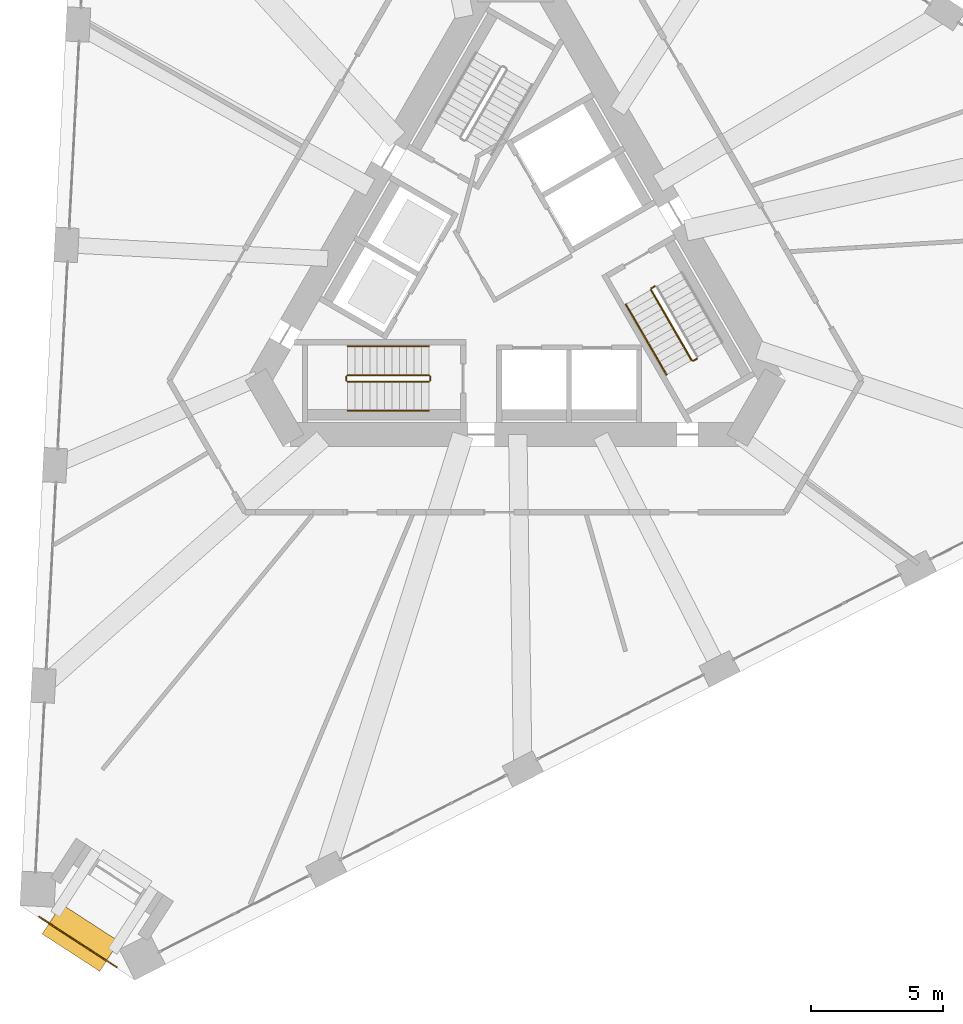
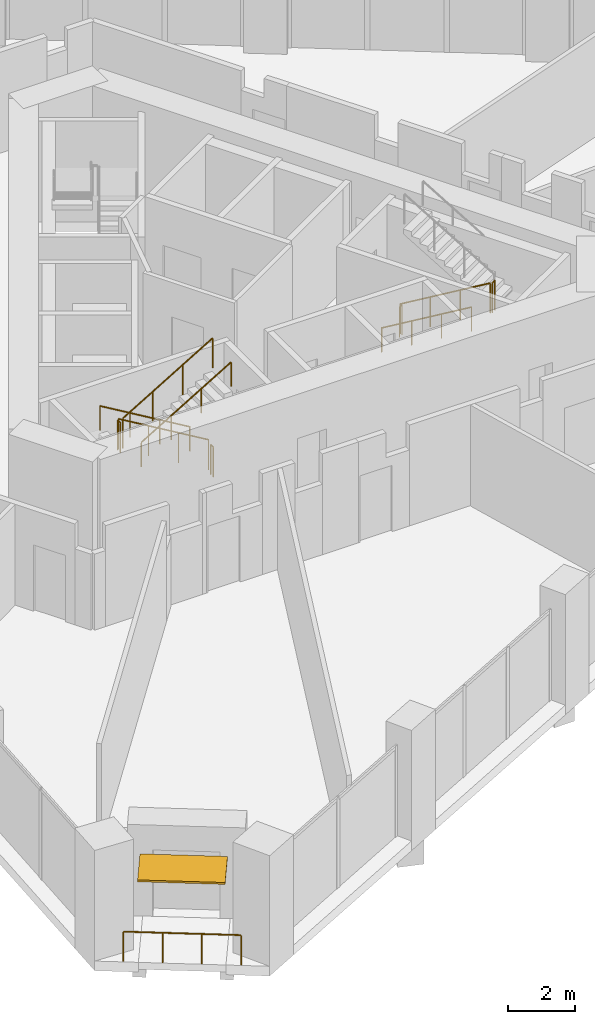
# One storey, part 15 of 18: 11 railings, 1 shading device.
"""IFC4 building model written with IfcOpenShell, lengths in metres."""

import ifcopenshell
import ifcopenshell.guid

model = None  # the IFC model being written
_history = None  # IfcOwnerHistory: only IFC2X3 demands one
_inside = {}  # id of a spatial element -> (the spatial element, [elements in it])
_under = {}  # id of a project, library or spatial element -> (it, [spatial elements below it])
_declared = {}  # id of a project -> (the project, [libraries it declares])
_typed = {}  # id of a type object -> (the type object, [elements of that type])
_made_of = {}  # id of a material, layer set ... -> (it, [elements and type objects made of it])


def new_model(schema):
    """Start an empty IFC model of exactly this schema.

    Asked for "IFC4X3", IfcOpenShell would pick the latest addendum, in which some entities
    have other attributes; the version numbers below select the first issue.
    IFC2X3 requires an IfcOwnerHistory on every rooted entity: one is made here for all.
    """
    global model, _history
    if schema == "IFC4X3":
        model = ifcopenshell.file(schema_version=(4, 3, 0, 0))
    else:
        model = ifcopenshell.file(schema=schema)
    _inside.clear()
    _under.clear()
    _declared.clear()
    _typed.clear()
    _made_of.clear()
    _history = None
    if model.schema == "IFC2X3":
        org = make("IfcOrganization", Name="unknown")
        user = make(
            "IfcPersonAndOrganization",
            ThePerson=make("IfcPerson", FamilyName="unknown"),
            TheOrganization=org,
        )
        app = make(
            "IfcApplication",
            ApplicationDeveloper=org,
            Version="unknown",
            ApplicationFullName="unknown",
            ApplicationIdentifier="unknown",
        )
        _history = make(
            "IfcOwnerHistory",
            OwningUser=user,
            OwningApplication=app,
            ChangeAction="ADDED",
            CreationDate=0,
        )
    return model


def make(cls, **values):
    """One entity of the class cls with the attributes given. An attribute that is None is left unset."""
    return model.create_entity(
        cls, **{name: value for name, value in values.items() if value is not None}
    )


def rooted(cls, **values):
    """An entity with a GlobalId (a new one), such as an element, a storey or a relation."""
    return make(cls, GlobalId=ifcopenshell.guid.new(), OwnerHistory=_history, **values)


def si_unit(unit_type, name, prefix=None):
    """IfcSIUnit, for example si_unit("LENGTHUNIT", "METRE", prefix="MILLI")."""
    return make("IfcSIUnit", UnitType=unit_type, Prefix=prefix, Name=name)


def assignment(units):
    """IfcUnitAssignment: the units of a project."""
    return None if units is None else make("IfcUnitAssignment", Units=units)


def point(xyz):
    """IfcCartesianPoint."""
    return None if xyz is None else make("IfcCartesianPoint", Coordinates=xyz)


def direction(xyz):
    """IfcDirection."""
    return None if xyz is None else make("IfcDirection", DirectionRatios=xyz)


def frame(location, z_axis=None, x_axis=None):
    """IfcAxis2Placement3D, a coordinate frame: its origin and axes. An axis left out is left unset."""
    return make(
        "IfcAxis2Placement3D",
        Location=point(location),
        Axis=direction(z_axis),
        RefDirection=direction(x_axis),
    )


def frame_2d(location, x_axis=None):
    """IfcAxis2Placement2D, a coordinate frame in the plane: its origin and x axis."""
    return make(
        "IfcAxis2Placement2D", Location=point(location), RefDirection=direction(x_axis)
    )


def origin():
    """The frame at (0, 0, 0) with its axes left unset."""
    return frame((0.0, 0.0, 0.0))


def origin_2d():
    """The frame at (0, 0) in the plane with its x axis left unset."""
    return frame_2d((0.0, 0.0))


def place(relative_to, where):
    """IfcLocalPlacement: puts the frame where relative to a parent placement (None: the world)."""
    return make(
        "IfcLocalPlacement", PlacementRelTo=relative_to, RelativePlacement=where
    )


def context(
    kind, dimensions, precision=None, world=None, true_north=None, identifier=None
):
    """IfcGeometricRepresentationContext, for example the 3D "Model" context."""
    return make(
        "IfcGeometricRepresentationContext",
        ContextIdentifier=identifier,
        ContextType=kind,
        CoordinateSpaceDimension=dimensions,
        Precision=precision,
        WorldCoordinateSystem=world,
        TrueNorth=true_north,
    )


def subcontext(parent, identifier, kind, view, scale=None):
    """IfcGeometricRepresentationSubContext, for example "Body" below "Model"."""
    return make(
        "IfcGeometricRepresentationSubContext",
        ContextIdentifier=identifier,
        ContextType=kind,
        ParentContext=parent,
        TargetScale=scale,
        TargetView=view,
    )


def project(units=None, contexts=None):
    """IfcProject with its units and contexts."""
    return rooted(
        "IfcProject",
        Name="project",
        RepresentationContexts=contexts,
        UnitsInContext=assignment(units),
    )


def spatial(cls, under=None, at=None, **own):
    """A site, building, storey or space (cls), placed at a placement, below another one or the project."""
    s = rooted(cls, ObjectPlacement=at, **own)
    if under is not None:
        _under.setdefault(under.id(), (under, []))[1].append(s)
    return s


def profile(cls, at=None, kind="AREA", **sizes):
    """A parametric profile (cls). Its sizes go by their IFC names, for example OverallWidth=200.0."""
    return make(cls, ProfileType=kind, Position=at, **sizes)


def rectangle(**sizes):
    """IfcRectangleProfileDef."""
    return profile("IfcRectangleProfileDef", **sizes)


def circle(**sizes):
    """IfcCircleProfileDef."""
    return profile("IfcCircleProfileDef", **sizes)


def extrude(swept, where, along, depth):
    """IfcExtrudedAreaSolid: the profile swept, set in the frame where, extruded along a direction by depth."""
    return make(
        "IfcExtrudedAreaSolid",
        SweptArea=swept,
        Position=where,
        ExtrudedDirection=direction(along),
        Depth=depth,
    )


def shape(context_of_items, identifier, shape_type, items):
    """IfcShapeRepresentation: the items that make up one representation, for example the "Body"."""
    return make(
        "IfcShapeRepresentation",
        ContextOfItems=context_of_items,
        RepresentationIdentifier=identifier,
        RepresentationType=shape_type,
        Items=items,
    )


def material(Name=None, Category=None):
    """IfcMaterial."""
    return make("IfcMaterial", Name=Name, Category=Category)


def layer(
    of_material, thickness, ventilated=None, Name=None, Category=None, Priority=None
):
    """IfcMaterialLayer: one layer of a wall or slab, of a material (None: an air gap)."""
    return make(
        "IfcMaterialLayer",
        Material=of_material,
        LayerThickness=thickness,
        IsVentilated=ventilated,
        Name=Name,
        Category=Category,
        Priority=Priority,
    )


def layer_set(layers, Name=None):
    """IfcMaterialLayerSet."""
    return make("IfcMaterialLayerSet", MaterialLayers=layers, LayerSetName=Name)


def made_of(thing, what):
    """Note that an element or type object is made of a material, layer set ...; save() writes the relation."""
    if what is not None:
        _made_of.setdefault(what.id(), (what, []))[1].append(thing)
    return thing


def type_object(cls, material=None, **own):
    """A type object (cls), such as IfcWallType, which elements share."""
    return made_of(rooted(cls, **own), material)


def element(
    cls,
    number,
    at=None,
    inside=None,
    cuts=None,
    type_object=None,
    material=None,
    context=None,
    identifier="Body",
    shape_type=None,
    held_by="IfcProductDefinitionShape",
    body=None,
    shapes=None,
    **own,
):
    """One element of the class cls, such as IfcWall. Its Tag is "e" and its number.

    at: its placement. inside: the storey or other place that contains it. cuts: it is an
    opening in that element (IfcRelVoidsElement). A single representation is given by context,
    identifier, shape_type and body (its items); several are given by shapes. held_by: the class
    of the entity that holds the representations. save() writes the other relations.
    """
    e = rooted(cls, Tag="e%d" % number, ObjectPlacement=at, **own)
    if body is not None:
        shapes = [shape(context, identifier, shape_type, body)]
    if shapes is not None:
        e.Representation = make(held_by, Representations=shapes)
    if inside is not None:
        _inside.setdefault(inside.id(), (inside, []))[1].append(e)
    if cuts is not None:
        rooted(
            "IfcRelVoidsElement", RelatingBuildingElement=cuts, RelatedOpeningElement=e
        )
    if type_object is not None:
        _typed.setdefault(type_object.id(), (type_object, []))[1].append(e)
    return made_of(e, material)


def aggregate(whole, parts):
    """IfcRelAggregates: a whole, such as a stair, and the parts it consists of."""
    return rooted("IfcRelAggregates", RelatingObject=whole, RelatedObjects=parts)


def save(model, path):
    """Write the relations noted so far, then the file.

    IfcRelAggregates (storeys below a building ...), IfcRelContainedInSpatialStructure (elements
    in a storey), IfcRelDefinesByType, IfcRelAssociatesMaterial and IfcRelDeclares: one each for
    every whole, place, type object, material and project.
    """
    for whole, parts in _under.values():
        aggregate(whole, parts)
    for where, things in _inside.values():
        rooted(
            "IfcRelContainedInSpatialStructure",
            RelatedElements=things,
            RelatingStructure=where,
        )
    for kind, things in _typed.values():
        rooted("IfcRelDefinesByType", RelatedObjects=things, RelatingType=kind)
    for what, things in _made_of.values():
        rooted("IfcRelAssociatesMaterial", RelatedObjects=things, RelatingMaterial=what)
    for by, libraries in _declared.values():
        rooted("IfcRelDeclares", RelatingContext=by, RelatedDefinitions=libraries)
    model.write(path)


model = new_model("IFC4")

# Units and contexts
model_context = context("Model", 3, precision=1e-05, world=origin(), true_north=direction((0.0, 1.0)))
body_context = subcontext(model_context, "Body", "Model", "MODEL_VIEW")
ifc_project = project(units=[si_unit("LENGTHUNIT", "METRE"), si_unit("AREAUNIT", "SQUARE_METRE"), si_unit("VOLUMEUNIT", "CUBIC_METRE"), si_unit("PLANEANGLEUNIT", "RADIAN"), si_unit("MASSUNIT", "GRAM", prefix="KILO")], contexts=[model_context])

# Site, building, storey
site_placement = place(None, origin())
site = spatial("IfcSite", under=ifc_project, at=site_placement, CompositionType="ELEMENT")
building_placement = place(site_placement, origin())
building = spatial("IfcBuilding", under=site, at=building_placement, Name="Tramontana Tower", CompositionType="ELEMENT")
storey_placement = place(building_placement, frame((0.0, 0.0, 125.60009765625)))
storey = spatial("IfcBuildingStorey", under=building, at=storey_placement, Name="L28", CompositionType="ELEMENT", Elevation=125.60009765625)

# Railing
ifc_material_1 = material(Name="Laminated glass balustrade", Category="glass")
railing_type_1 = type_object("IfcRailingType", Name="GD1 Loggia glass balustrade 1100", PredefinedType="BALUSTRADE", material=ifc_material_1)
railing_1_placement = place(storey_placement, frame((-15.12744140625, -26.50732421875, 0.0)))
element("IfcRailing", 1, at=railing_1_placement, inside=storey, type_object=railing_type_1, Name="Corner loggia balustrade L28 K31", PredefinedType="BALUSTRADE", context=body_context, shape_type="SweptSolid", body=[
    extrude(circle(Radius=0.02392578125, at=origin_2d()), frame((0.0, 0.0, 1.076171875), z_axis=(-0.838665071449, 0.544647498784, 0.0), x_axis=(-0.544647498784, -0.838665071449, 0.0)), (0.0, 0.0, 1.0), 3.5),
    extrude(circle(Radius=0.02099609375, at=origin_2d()), origin(), (0.0, 0.0, 1.0), 1.052001953125),
    extrude(circle(Radius=0.02099609375, at=origin_2d()), frame((-0.978515625, 0.635498046875, 0.0)), (0.0, 0.0, 1.0), 1.052001953125),
    extrude(circle(Radius=0.02099609375, at=origin_2d()), frame((-1.956787109375, 1.270751953125, 0.0)), (0.0, 0.0, 1.0), 1.052001953125),
    extrude(circle(Radius=0.02099609375, at=origin_2d()), frame((-2.935302734375, 1.90625, 0.0)), (0.0, 0.0, 1.0), 1.052001953125),
])

# Shading device
ifc_material_2 = material(Name="Precast concrete 60 MPa", Category="concrete")
ifc_layer = layer(ifc_material_2, 0.070068359375)
ifc_layer_set = layer_set([ifc_layer], Name="SS2 Stone sunshade blade 70")
shading_device_type = type_object("IfcShadingDeviceType", Name="SS2 Stone sunshade blade 70", PredefinedType="USERDEFINED", material=ifc_layer_set)
shading_device_placement = place(storey_placement, frame((-16.489013671875, -25.390869140625, 3.22998046875), z_axis=(0.0, 0.0, 1.0), x_axis=(-0.838670567945, 0.544639035015, 0.0)))
element("IfcShadingDevice", 2, at=shading_device_placement, inside=storey, type_object=shading_device_type, Name="Corner sunshade L28 K31", ObjectType="SUNSHADE", PredefinedType="USERDEFINED", context=body_context, shape_type="SweptSolid", body=[
    extrude(rectangle(XDim=2.60009765625, YDim=1.35009765625, at=origin_2d()), origin(), (0.0, 0.0, 1.0), 0.070068359375),
])

# Railings
ifc_material_3 = material(Name="Painted steel", Category="steel")
railing_type_2 = type_object("IfcRailingType", Name="STAIR GUARD 1100", PredefinedType="GUARDRAIL", material=ifc_material_3)
railing_2_placement = place(storey_placement, frame((-3.280029296875, -4.050048828125, 0.16650390625)))
element("IfcRailing", 3, at=railing_2_placement, inside=storey, type_object=railing_type_2, Name="L28 ST2 stair guard 1", PredefinedType="GUARDRAIL", context=body_context, shape_type="SweptSolid", body=[
    extrude(circle(Radius=0.02392578125, at=origin_2d()), frame((0.0, 0.0, 1.076171875), z_axis=(-0.85927862911, 0.0, 0.511507807912), x_axis=(0.0, -1.0, 0.0)), (0.0, 0.0, 1.0), 3.58447265625),
    extrude(circle(Radius=0.02099609375, at=origin_2d()), origin(), (0.0, 0.0, 1.0), 1.052001953125),
    extrude(circle(Radius=0.02099609375, at=origin_2d()), frame((-1.026611328125, 0.0, 0.611083984375)), (0.0, 0.0, 1.0), 1.052001953125),
    extrude(circle(Radius=0.02099609375, at=origin_2d()), frame((-2.053466796875, 0.0, 1.222412109375)), (0.0, 0.0, 1.0), 1.052001953125),
    extrude(circle(Radius=0.02099609375, at=origin_2d()), frame((-3.080078125, 0.0, 1.83349609375)), (0.0, 0.0, 1.0), 1.052001953125),
])
railing_3_placement = place(storey_placement, frame((-6.360107421875, -4.300048828125, 2.16650390625)))
element("IfcRailing", 4, at=railing_3_placement, inside=storey, type_object=railing_type_2, Name="L28 ST2 stair guard 2", PredefinedType="GUARDRAIL", context=body_context, shape_type="SweptSolid", body=[
    extrude(circle(Radius=0.02392578125, at=origin_2d()), frame((0.0, 0.0, 1.076171875), z_axis=(0.85927862911, 0.0, 0.511507807912), x_axis=(0.0, 1.0, 0.0)), (0.0, 0.0, 1.0), 3.58447265625),
    extrude(circle(Radius=0.02099609375, at=origin_2d()), origin(), (0.0, 0.0, 1.0), 1.052001953125),
    extrude(circle(Radius=0.02099609375, at=origin_2d()), frame((1.026611328125, 0.0, 0.611083984375)), (0.0, 0.0, 1.0), 1.052001953125),
    extrude(circle(Radius=0.02099609375, at=origin_2d()), frame((2.053466796875, 0.0, 1.222412109375)), (0.0, 0.0, 1.0), 1.052001953125),
    extrude(circle(Radius=0.02099609375, at=origin_2d()), frame((3.080078125, 0.0, 1.83349609375)), (0.0, 0.0, 1.0), 1.052001953125),
])
for number, where, name in (
    (5, (-6.409912109375, -4.10009765625, 2.0), "L28 ST2 stair guard 3"),
    (6, (-3.22998046875, -4.10009765625, 0.0), "L28 ST2 stair guard 4"),
):
    element("IfcRailing", number, at=place(storey_placement, frame(where)), inside=storey, type_object=railing_type_2, Name=name, PredefinedType="GUARDRAIL", context=body_context, shape_type="SweptSolid", body=[
        extrude(circle(Radius=0.02392578125, at=origin_2d()), frame((0.0, 0.0, 1.076171875), z_axis=(0.0, -1.0, 0.0), x_axis=(1.0, 0.0, 0.0)), (0.0, 0.0, 1.0), 0.14990234375),
        extrude(circle(Radius=0.02099609375, at=origin_2d()), origin(), (0.0, 0.0, 1.0), 1.052001953125),
        extrude(circle(Radius=0.02099609375, at=origin_2d()), frame((0.0, -0.14990234375, 0.0)), (0.0, 0.0, 1.0), 1.052001953125),
    ])
railing_4_placement = place(storey_placement, frame((5.1474609375, -0.815673828125, 0.16650390625)))
element("IfcRailing", 7, at=railing_4_placement, inside=storey, type_object=railing_type_2, Name="L28 ST3 stair guard 1", PredefinedType="GUARDRAIL", context=body_context, shape_type="SweptSolid", body=[
    extrude(circle(Radius=0.02392578125, at=origin_2d()), frame((0.0, 0.0, 1.076171875), z_axis=(0.429656224001, -0.744133520484, 0.511527939481), x_axis=(0.866010015463, 0.500026652407, 0.0)), (0.0, 0.0, 1.0), 3.58447265625),
    extrude(circle(Radius=0.02099609375, at=origin_2d()), origin(), (0.0, 0.0, 1.0), 1.052001953125),
    extrude(circle(Radius=0.02099609375, at=origin_2d()), frame((0.513427734375, -0.88916015625, 0.611083984375)), (0.0, 0.0, 1.0), 1.052001953125),
    extrude(circle(Radius=0.02099609375, at=origin_2d()), frame((1.026611328125, -1.778076171875, 1.222412109375)), (0.0, 0.0, 1.0), 1.052001953125),
    extrude(circle(Radius=0.02099609375, at=origin_2d()), frame((1.5400390625, -2.667236328125, 1.83349609375)), (0.0, 0.0, 1.0), 1.052001953125),
])
for number, where, name in (
    (8, (6.755615234375, -3.501220703125, 2.0), "L28 ST3 stair guard 3"),
    (9, (5.165771484375, -0.747314453125, 0.0), "L28 ST3 stair guard 4"),
):
    element("IfcRailing", number, at=place(storey_placement, frame(where)), inside=storey, type_object=railing_type_2, Name=name, PredefinedType="GUARDRAIL", context=body_context, shape_type="SweptSolid", body=[
        extrude(circle(Radius=0.02392578125, at=origin_2d()), frame((0.0, 0.0, 1.076171875), z_axis=(0.866131372301, 0.499816412211, 0.0), x_axis=(-0.499816412211, 0.866131372301, 0.0)), (0.0, 0.0, 1.0), 0.14990234375),
        extrude(circle(Radius=0.02099609375, at=origin_2d()), origin(), (0.0, 0.0, 1.0), 1.052001953125),
        extrude(circle(Radius=0.02099609375, at=origin_2d()), frame((0.1298828125, 0.074951171875, 0.0)), (0.0, 0.0, 1.0), 1.052001953125),
    ])
ifc_material_4 = material(Name="Painted steel", Category="steel")
railing_type_3 = type_object("IfcRailingType", Name="STAIR HANDRAIL 900", PredefinedType="HANDRAIL", material=ifc_material_4)
railing_5_placement = place(storey_placement, frame((-3.280029296875, -2.949951171875, 0.16650390625)))
element("IfcRailing", 10, at=railing_5_placement, inside=storey, type_object=railing_type_3, Name="L28 ST2 stair handrail 1", PredefinedType="HANDRAIL", context=body_context, shape_type="SweptSolid", body=[
    extrude(circle(Radius=0.02392578125, at=origin_2d()), frame((0.0, 0.0, 0.8759765625), z_axis=(-0.85927862911, 0.0, 0.511507807912), x_axis=(0.0, -1.0, 0.0)), (0.0, 0.0, 1.0), 3.58447265625),
    extrude(circle(Radius=0.02099609375, at=origin_2d()), origin(), (0.0, 0.0, 1.0), 0.851806640625),
    extrude(circle(Radius=0.02099609375, at=origin_2d()), frame((-1.026611328125, 0.0, 0.611083984375)), (0.0, 0.0, 1.0), 0.851806640625),
    extrude(circle(Radius=0.02099609375, at=origin_2d()), frame((-2.053466796875, 0.0, 1.222412109375)), (0.0, 0.0, 1.0), 0.851806640625),
    extrude(circle(Radius=0.02099609375, at=origin_2d()), frame((-3.080078125, 0.0, 1.83349609375)), (0.0, 0.0, 1.0), 0.851806640625),
])
railing_6_placement = place(storey_placement, frame((-6.360107421875, -5.39990234375, 2.16650390625)))
element("IfcRailing", 11, at=railing_6_placement, inside=storey, type_object=railing_type_3, Name="L28 ST2 stair handrail 2", PredefinedType="HANDRAIL", context=body_context, shape_type="SweptSolid", body=[
    extrude(circle(Radius=0.02392578125, at=origin_2d()), frame((0.0, 0.0, 0.8759765625), z_axis=(0.85927862911, 0.0, 0.511507807912), x_axis=(0.0, 1.0, 0.0)), (0.0, 0.0, 1.0), 3.58447265625),
    extrude(circle(Radius=0.02099609375, at=origin_2d()), origin(), (0.0, 0.0, 1.0), 0.851806640625),
    extrude(circle(Radius=0.02099609375, at=origin_2d()), frame((1.026611328125, 0.0, 0.611083984375)), (0.0, 0.0, 1.0), 0.851806640625),
    extrude(circle(Radius=0.02099609375, at=origin_2d()), frame((2.053466796875, 0.0, 1.222412109375)), (0.0, 0.0, 1.0), 0.851806640625),
    extrude(circle(Radius=0.02099609375, at=origin_2d()), frame((3.080078125, 0.0, 1.83349609375)), (0.0, 0.0, 1.0), 0.851806640625),
])
railing_7_placement = place(storey_placement, frame((4.19482421875, -1.365478515625, 0.16650390625)))
element("IfcRailing", 12, at=railing_7_placement, inside=storey, type_object=railing_type_3, Name="L28 ST3 stair handrail 1", PredefinedType="HANDRAIL", context=body_context, shape_type="SweptSolid", body=[
    extrude(circle(Radius=0.02392578125, at=origin_2d()), frame((0.0, 0.0, 0.8759765625), z_axis=(0.429634447492, -0.7441639146, 0.511502013422), x_axis=(0.866029832698, 0.499992328818, 0.0)), (0.0, 0.0, 1.0), 3.58447265625),
    extrude(circle(Radius=0.02099609375, at=origin_2d()), origin(), (0.0, 0.0, 1.0), 0.851806640625),
    extrude(circle(Radius=0.02099609375, at=origin_2d()), frame((0.513427734375, -0.88916015625, 0.611083984375)), (0.0, 0.0, 1.0), 0.851806640625),
    extrude(circle(Radius=0.02099609375, at=origin_2d()), frame((1.026611328125, -1.7783203125, 1.222412109375)), (0.0, 0.0, 1.0), 0.851806640625),
    extrude(circle(Radius=0.02099609375, at=origin_2d()), frame((1.5400390625, -2.66748046875, 1.83349609375)), (0.0, 0.0, 1.0), 0.851806640625),
])

save(model, "model.ifc")
